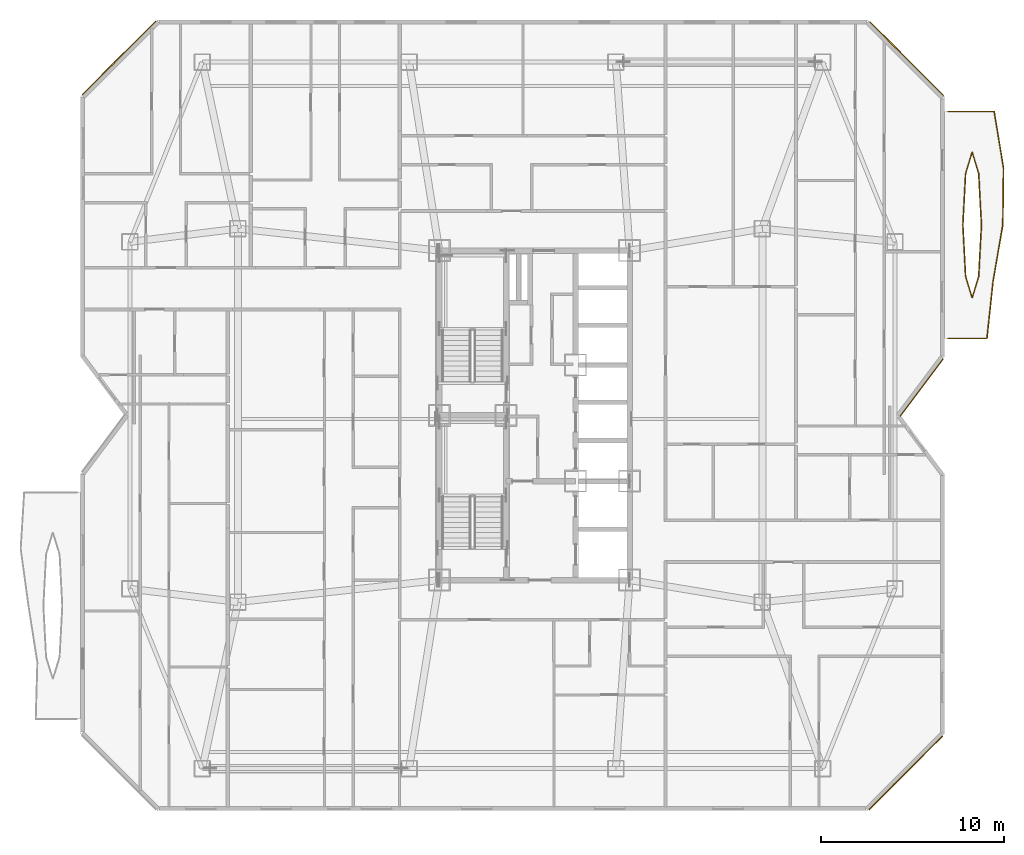
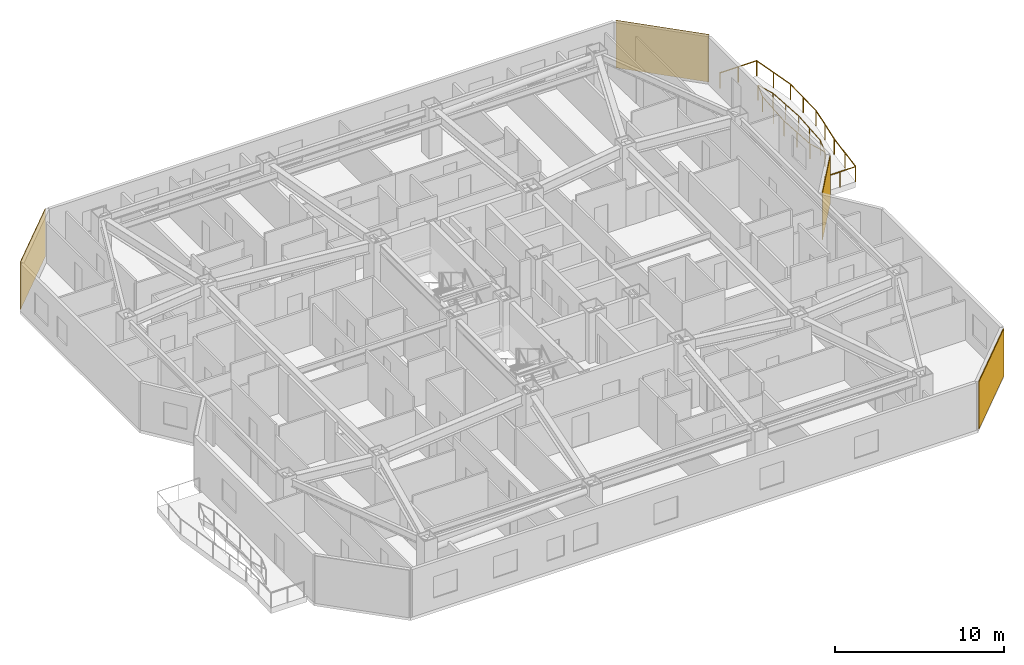
# One storey, part 16 of 16: 4 coverings, 4 railings.
"""IFC4 building model written with IfcOpenShell, lengths in metres."""

from ifc_helpers import new_model, si_unit, direction, frame, origin, origin_2d, place, context, subcontext, project, spatial, rectangle, circle, extrude, material, layer, layer_set, type_object, element, save


model = new_model("IFC4")

# Units and contexts
model_context = context("Model", 3, precision=1e-05, world=origin(), true_north=direction((0.0, 1.0)))
body_context = subcontext(model_context, "Body", "Model", "MODEL_VIEW")
ifc_project = project(units=[si_unit("LENGTHUNIT", "METRE"), si_unit("AREAUNIT", "SQUARE_METRE"), si_unit("VOLUMEUNIT", "CUBIC_METRE"), si_unit("PLANEANGLEUNIT", "RADIAN"), si_unit("MASSUNIT", "GRAM", prefix="KILO")], contexts=[model_context])

# Site, building, storey
site_placement = place(None, origin())
site = spatial("IfcSite", under=ifc_project, at=site_placement, CompositionType="ELEMENT")
building_placement = place(site_placement, origin())
building = spatial("IfcBuilding", under=site, at=building_placement, Name="Khamvora Tower", CompositionType="ELEMENT")
storey_placement = place(building_placement, frame((0.0, 0.0, 134.75)))
storey = spatial("IfcBuildingStorey", under=building, at=storey_placement, Name="L34", CompositionType="ELEMENT", Elevation=134.75)

# Coverings
ifc_material_1 = material(Name="Pale Anodised Aluminium Rainscreen Panel", Category="aluminium")
ifc_layer_1 = layer(ifc_material_1, 0.044921875)
ifc_layer_set_1 = layer_set([ifc_layer_1], Name="Pale Anodised Aluminium Rainscreen Panel")
covering_type_1 = type_object("IfcCoveringType", Name="COV-CLD-ALU", PredefinedType="CLADDING", material=ifc_layer_set_1)
for number, where, z_axis, x_axis, name in (
    (1, (11.510986328125, 47.537109375, 0.0), (0.0, 0.0, 1.0), (0.707106781187, 0.707106781187, 0.0), "L34 chamfer rainscreen cladding 06.1"),
    (2, (54.537109375, 47.489013671875, 0.0), (0.0, 0.0, 1.0), (0.707106781187, -0.707106781187, 0.0), "L34 chamfer rainscreen cladding 08.1"),
):
    element("IfcCovering", number, at=place(storey_placement, frame(where, z_axis=z_axis, x_axis=x_axis)), inside=storey, type_object=covering_type_1, Name=name, PredefinedType="CLADDING", context=body_context, shape_type="SweptSolid", body=[
        extrude(rectangle(XDim=5.680908203125, YDim=0.044921875, at=origin_2d()), origin(), (0.0, 0.0, 1.0), 3.429931640625),
    ])
covering_1_placement = place(storey_placement, frame((55.361083984375, 29.51904296875, 0.0), z_axis=(0.0, 0.0, 1.0), x_axis=(-0.600120318085, -0.799909747298, 0.0)))
element("IfcCovering", 3, at=covering_1_placement, inside=storey, type_object=covering_type_1, Name="L34 chamfer rainscreen cladding 10.1", PredefinedType="CLADDING", context=body_context, shape_type="SweptSolid", body=[
    extrude(rectangle(XDim=3.888916015625, YDim=0.044921875, at=origin_2d()), origin(), (0.0, 0.0, 1.0), 3.429931640625),
])
ifc_material_2 = material(Name="Anodised Bronze Aluminium Spandrel Panel", Category="aluminium")
ifc_layer_2 = layer(ifc_material_2, 0.054931640625)
ifc_layer_set_2 = layer_set([ifc_layer_2], Name="Anodised Bronze Aluminium Spandrel Panel")
covering_type_2 = type_object("IfcCoveringType", Name="COV-CLD-BRZ", PredefinedType="CLADDING", material=ifc_layer_set_2)
covering_2_placement = place(storey_placement, frame((54.488037109375, 8.4619140625, 0.0), z_axis=(0.0, 0.0, 1.0), x_axis=(-0.707106781187, -0.707106781187, 0.0)))
element("IfcCovering", 4, at=covering_2_placement, inside=storey, type_object=covering_type_2, Name="L34 chamfer rainscreen cladding 13.1", PredefinedType="CLADDING", context=body_context, shape_type="SweptSolid", body=[
    extrude(rectangle(XDim=5.677978515625, YDim=0.054931640625, at=origin_2d()), origin(), (0.0, 0.0, 1.0), 3.429931640625),
])

# Railings
ifc_material_3 = material(Name="Stainless Steel 316 and Laminated Glass", Category="steel")
railing_type = type_object("IfcRailingType", Name="RAL-GAL-1120", PredefinedType="GUARDRAIL", material=ifc_material_3)
railing_1_placement = place(storey_placement, frame((56.800048828125, 32.199951171875, 0.0)))
element("IfcRailing", 5, at=railing_1_placement, inside=storey, type_object=railing_type, Name="L34 lens gallery south perimeter guardrail EL2", PredefinedType="GUARDRAIL", context=body_context, shape_type="SweptSolid", body=[
    extrude(circle(Radius=0.02392578125, at=origin_2d()), frame((0.0, 0.0, 1.09619140625), z_axis=(1.0, 0.0, 0.0), x_axis=(0.0, 1.0, 0.0)), (0.0, 0.0, 1.0), 2.125),
    extrude(circle(Radius=0.02392578125, at=origin_2d()), frame((2.125, 0.0, 1.09619140625), z_axis=(0.106494415547, 0.994313300453, 0.0), x_axis=(-0.994313300453, 0.106494415547, 0.0)), (0.0, 0.0, 1.0), 3.117919921875),
    extrude(circle(Radius=0.02392578125, at=origin_2d()), frame((2.45703125, 3.10009765625, 1.09619140625), z_axis=(0.170047261137, 0.985435908104, 0.0), x_axis=(-0.985435908104, 0.170047261137, 0.0)), (0.0, 0.0, 1.0), 3.145751953125),
    extrude(circle(Radius=0.02099609375, at=origin_2d()), origin(), (0.0, 0.0, 1.0), 1.072021484375),
    extrude(circle(Radius=0.02099609375, at=origin_2d()), frame((1.0625, 0.0, 0.0)), (0.0, 0.0, 1.0), 1.072021484375),
    extrude(circle(Radius=0.02099609375, at=origin_2d()), frame((2.125, 0.0, 0.0)), (0.0, 0.0, 1.0), 1.072021484375),
    extrude(circle(Radius=0.02099609375, at=origin_2d()), frame((2.291015625, 1.550048828125, 0.0)), (0.0, 0.0, 1.0), 1.072021484375),
    extrude(circle(Radius=0.02099609375, at=origin_2d()), frame((2.45703125, 3.10009765625, 0.0)), (0.0, 0.0, 1.0), 1.072021484375),
    extrude(circle(Radius=0.02099609375, at=origin_2d()), frame((2.724609375, 4.64990234375, 0.0)), (0.0, 0.0, 1.0), 1.072021484375),
    extrude(circle(Radius=0.02099609375, at=origin_2d()), frame((2.991943359375, 6.199951171875, 0.0)), (0.0, 0.0, 1.0), 1.072021484375),
])
railing_2_placement = place(storey_placement, frame((59.7919921875, 38.39990234375, 0.0)))
element("IfcRailing", 6, at=railing_2_placement, inside=storey, type_object=railing_type, Name="L34 lens gallery north perimeter guardrail EL2", PredefinedType="GUARDRAIL", context=body_context, shape_type="SweptSolid", body=[
    extrude(circle(Radius=0.02392578125, at=origin_2d()), frame((0.0, 0.0, 1.09619140625), z_axis=(0.012599409347, 0.999920624292, 0.0), x_axis=(-0.999920624292, 0.012599409347, 0.0)), (0.0, 0.0, 1.0), 3.100341796875),
    extrude(circle(Radius=0.02392578125, at=origin_2d()), frame((0.0390625, 3.10009765625, 1.09619140625), z_axis=(-0.16202934976, 0.986785939207, 0.0), x_axis=(-0.986785939207, -0.16202934976, 0.0)), (0.0, 0.0, 1.0), 3.1416015625),
    extrude(circle(Radius=0.02392578125, at=origin_2d()), frame((-0.469970703125, 6.2001953125, 1.09619140625), z_axis=(-1.0, 0.0, 0.0), x_axis=(0.0, -1.0, 0.0)), (0.0, 0.0, 1.0), 2.52197265625),
    extrude(circle(Radius=0.02099609375, at=origin_2d()), origin(), (0.0, 0.0, 1.0), 1.072021484375),
    extrude(circle(Radius=0.02099609375, at=origin_2d()), frame((0.01953125, 1.550048828125, 0.0)), (0.0, 0.0, 1.0), 1.072021484375),
    extrude(circle(Radius=0.02099609375, at=origin_2d()), frame((0.0390625, 3.10009765625, 0.0)), (0.0, 0.0, 1.0), 1.072021484375),
    extrude(circle(Radius=0.02099609375, at=origin_2d()), frame((-0.21533203125, 4.650146484375, 0.0)), (0.0, 0.0, 1.0), 1.072021484375),
    extrude(circle(Radius=0.02099609375, at=origin_2d()), frame((-0.469970703125, 6.2001953125, 0.0)), (0.0, 0.0, 1.0), 1.072021484375),
    extrude(circle(Radius=0.02099609375, at=origin_2d()), frame((-1.73095703125, 6.2001953125, 0.0)), (0.0, 0.0, 1.0), 1.072021484375),
    extrude(circle(Radius=0.02099609375, at=origin_2d()), frame((-2.991943359375, 6.2001953125, 0.0)), (0.0, 0.0, 1.0), 1.072021484375),
])
railing_3_placement = place(storey_placement, frame((58.618896484375, 38.39990234375, 0.0)))
element("IfcRailing", 7, at=railing_3_placement, inside=storey, type_object=railing_type, Name="L34 lens gallery void guardrail EL2A", PredefinedType="GUARDRAIL", context=body_context, shape_type="SweptSolid", body=[
    extrude(circle(Radius=0.02392578125, at=origin_2d()), frame((0.0, 0.0, 1.09619140625), z_axis=(-0.05265003421, 0.998613025099, 0.0), x_axis=(-0.998613025099, -0.05265003421, 0.0)), (0.0, 0.0, 1.0), 2.81005859375),
    extrude(circle(Radius=0.02392578125, at=origin_2d()), frame((-0.14794921875, 2.80615234375, 1.09619140625), z_axis=(-0.292927952476, 0.956134517031, 0.0), x_axis=(-0.956134517031, -0.292927952476, 0.0)), (0.0, 0.0, 1.0), 1.215087890625),
    extrude(circle(Radius=0.02392578125, at=origin_2d()), frame((-0.50390625, 3.968017578125, 1.09619140625), z_axis=(-0.292927952476, -0.956134517031, 0.0), x_axis=(0.956134517031, -0.292927952476, 0.0)), (0.0, 0.0, 1.0), 1.215087890625),
    extrude(circle(Radius=0.02392578125, at=origin_2d()), frame((-0.85986328125, 2.80615234375, 1.09619140625), z_axis=(-0.05265003421, -0.998613025099, 0.0), x_axis=(0.998613025099, -0.05265003421, 0.0)), (0.0, 0.0, 1.0), 2.81005859375),
    extrude(circle(Radius=0.02099609375, at=origin_2d()), origin(), (0.0, 0.0, 1.0), 1.072021484375),
    extrude(circle(Radius=0.02099609375, at=origin_2d()), frame((-0.073974609375, 1.403076171875, 0.0)), (0.0, 0.0, 1.0), 1.072021484375),
    extrude(circle(Radius=0.02099609375, at=origin_2d()), frame((-0.14794921875, 2.80615234375, 0.0)), (0.0, 0.0, 1.0), 1.072021484375),
    extrude(circle(Radius=0.02099609375, at=origin_2d()), frame((-0.50390625, 3.968017578125, 0.0)), (0.0, 0.0, 1.0), 1.072021484375),
    extrude(circle(Radius=0.02099609375, at=origin_2d()), frame((-0.85986328125, 2.80615234375, 0.0)), (0.0, 0.0, 1.0), 1.072021484375),
    extrude(circle(Radius=0.02099609375, at=origin_2d()), frame((-0.933837890625, 1.403076171875, 0.0)), (0.0, 0.0, 1.0), 1.072021484375),
    extrude(circle(Radius=0.02099609375, at=origin_2d()), frame((-1.0078125, 0.0, 0.0)), (0.0, 0.0, 1.0), 1.072021484375),
])
railing_4_placement = place(storey_placement, frame((57.611083984375, 38.39990234375, 0.0)))
element("IfcRailing", 8, at=railing_4_placement, inside=storey, type_object=railing_type, Name="L34 lens gallery void guardrail EL2B", PredefinedType="GUARDRAIL", context=body_context, shape_type="SweptSolid", body=[
    extrude(circle(Radius=0.02392578125, at=origin_2d()), frame((0.0, 0.0, 1.09619140625), z_axis=(0.052654602562, -0.998612784231, 0.0), x_axis=(0.998612784231, 0.052654602562, 0.0)), (0.0, 0.0, 1.0), 2.809814453125),
    extrude(circle(Radius=0.02392578125, at=origin_2d()), frame((0.14794921875, -2.805908203125, 1.09619140625), z_axis=(0.292871691974, -0.956151751575, 0.0), x_axis=(0.956151751575, 0.292871691974, 0.0)), (0.0, 0.0, 1.0), 1.21533203125),
    extrude(circle(Radius=0.02392578125, at=origin_2d()), frame((0.50390625, -3.968017578125, 1.09619140625), z_axis=(0.292871691974, 0.956151751575, 0.0), x_axis=(-0.956151751575, 0.292871691974, 0.0)), (0.0, 0.0, 1.0), 1.21533203125),
    extrude(circle(Radius=0.02392578125, at=origin_2d()), frame((0.85986328125, -2.805908203125, 1.09619140625), z_axis=(0.052654602562, 0.998612784231, 0.0), x_axis=(-0.998612784231, 0.052654602562, 0.0)), (0.0, 0.0, 1.0), 2.809814453125),
    extrude(circle(Radius=0.02099609375, at=origin_2d()), origin(), (0.0, 0.0, 1.0), 1.072021484375),
    extrude(circle(Radius=0.02099609375, at=origin_2d()), frame((0.073974609375, -1.40283203125, 0.0)), (0.0, 0.0, 1.0), 1.072021484375),
    extrude(circle(Radius=0.02099609375, at=origin_2d()), frame((0.14794921875, -2.805908203125, 0.0)), (0.0, 0.0, 1.0), 1.072021484375),
    extrude(circle(Radius=0.02099609375, at=origin_2d()), frame((0.50390625, -3.968017578125, 0.0)), (0.0, 0.0, 1.0), 1.072021484375),
    extrude(circle(Radius=0.02099609375, at=origin_2d()), frame((0.85986328125, -2.805908203125, 0.0)), (0.0, 0.0, 1.0), 1.072021484375),
    extrude(circle(Radius=0.02099609375, at=origin_2d()), frame((0.933837890625, -1.40283203125, 0.0)), (0.0, 0.0, 1.0), 1.072021484375),
    extrude(circle(Radius=0.02099609375, at=origin_2d()), frame((1.0078125, 0.0, 0.0)), (0.0, 0.0, 1.0), 1.072021484375),
])

save(model, "model.ifc")
